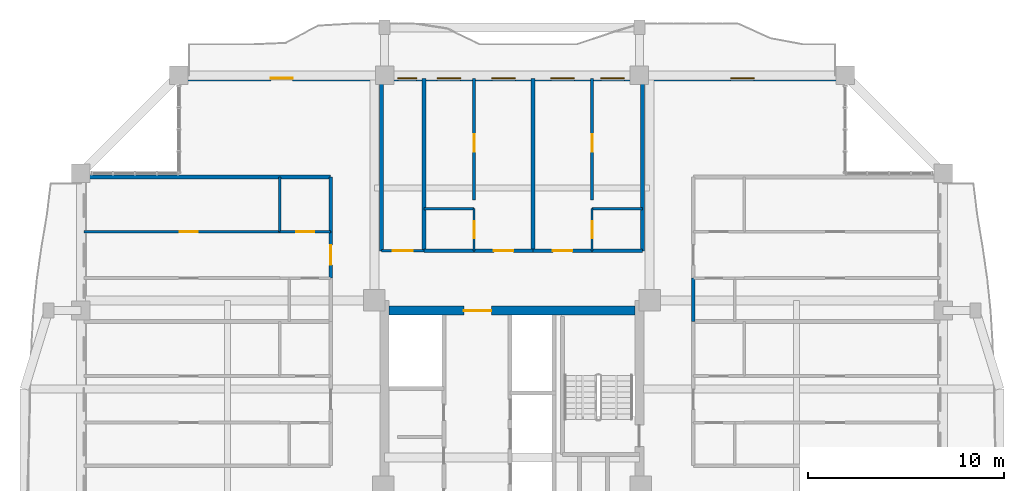
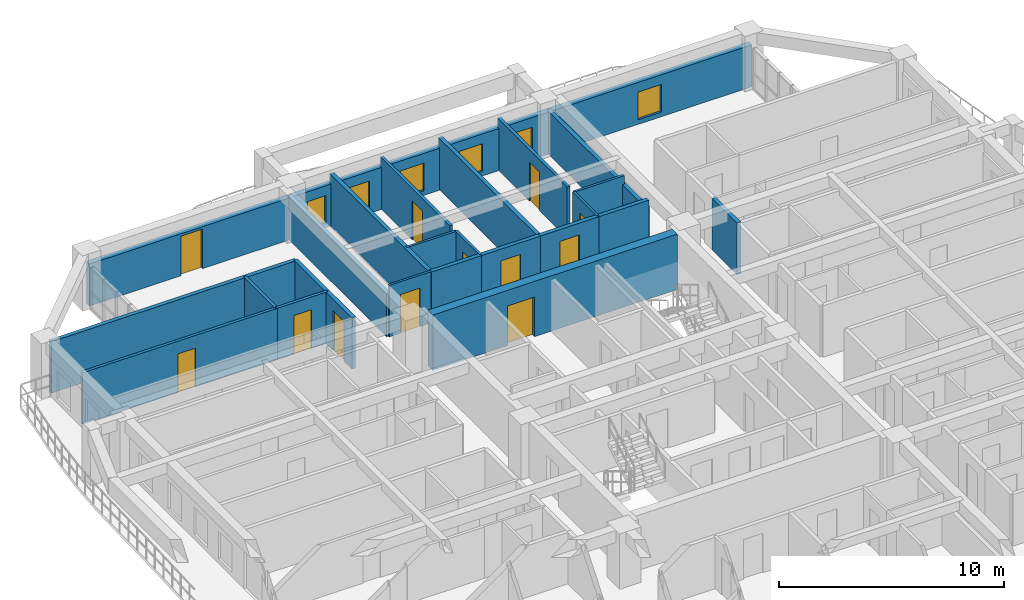
# One storey, part 16 of 23: 24 walls, 12 doors, 6 windows, 18 openings.
"""IFC4 building model written with IfcOpenShell, lengths in metres."""

from ifc_helpers import new_model, si_unit, direction, frame, frame_2d, origin, place, context, subcontext, project, spatial, rectangle, extrude, source, transform, mapped, material, layer, layer_set, type_object, element, fill, save


model = new_model("IFC4")

# Units and contexts
model_context = context("Model", 3, precision=1e-05, world=origin(), true_north=direction((0.0, 1.0)))
body_context = subcontext(model_context, "Body", "Model", "MODEL_VIEW")
ifc_project = project(units=[si_unit("LENGTHUNIT", "METRE"), si_unit("AREAUNIT", "SQUARE_METRE"), si_unit("VOLUMEUNIT", "CUBIC_METRE"), si_unit("PLANEANGLEUNIT", "RADIAN"), si_unit("MASSUNIT", "GRAM", prefix="KILO")], contexts=[model_context])

# Site, building, storey
site_placement = place(None, origin())
site = spatial("IfcSite", under=ifc_project, at=site_placement, CompositionType="ELEMENT")
building_placement = place(site_placement, origin())
building = spatial("IfcBuilding", under=site, at=building_placement, Name="Saelheon Loggia Tower", CompositionType="ELEMENT")
storey_placement = place(building_placement, frame((0.0, 0.0, 156.10009765625)))
storey = spatial("IfcBuildingStorey", under=building, at=storey_placement, Name="L49", CompositionType="ELEMENT", Elevation=156.10009765625)

# Wall, opening, door
ifc_material_1 = material(Name="Concrete C45/55", Category="concrete")
ifc_layer_1 = layer(ifc_material_1, 0.449951171875)
ifc_layer_set_1 = layer_set([ifc_layer_1], Name="Concrete C45/55")
wall_type_1 = type_object("IfcWallType", Name="Wall_CoreShear_450", PredefinedType="SHEAR", material=ifc_layer_set_1)
wall_1_placement = place(storey_placement, frame((31.72509765625, 36.0, 0.0), z_axis=(0.0, 0.0, 1.0), x_axis=(1.0, 0.0, 0.0)))
wall_1 = element("IfcWall", 1, at=wall_1_placement, inside=storey, type_object=wall_type_1, Name="L49 Core Shear Wall North", PredefinedType="SHEAR", context=body_context, shape_type="SweptSolid", body=[
    extrude(rectangle(XDim=12.5498046875, YDim=0.449951171875, at=frame_2d((6.27490234375, 0.0))), origin(), (0.0, 0.0, 1.0), 3.0),
])
opening_1_placement = place(wall_1_placement, frame((5.224853515625, 0.0, 0.0), z_axis=(0.0, 0.0, 1.0), x_axis=(-1.0, 0.0, 0.0)))
opening_1 = element("IfcOpeningElement", 2, at=opening_1_placement, cuts=wall_1, Name="Opening D-FD2L", PredefinedType="OPENING", context=body_context, shape_type="SweptSolid", body=[
    extrude(rectangle(XDim=1.39990234375, YDim=2.14990234375, at=frame_2d((0.699951171875, 1.074951171875))), frame((0.0, 0.237060546875, 0.0), z_axis=(0.0, -1.0, 0.0), x_axis=(1.0, 0.0, 0.0)), (0.0, 0.0, 1.0), 0.473876953125),
])
ifc_material_2 = material(Name="Galvanised Steel Glazed Lobby Fire Door", Category="steel")
door_type_1 = type_object("IfcDoorType", Name="Door_Fire_FD60_1400", OperationType="NOTDEFINED", PredefinedType="DOOR", material=ifc_material_2)
shared_shape_1 = source(origin(), body_context, "Body", "SweptSolid", [
    extrude(rectangle(XDim=1.39990234375, YDim=2.14990234375, at=frame_2d((0.699951171875, 1.074951171875))), frame((0.0, 0.02490234375, 0.0), z_axis=(0.0, -1.0, 0.0), x_axis=(1.0, 0.0, 0.0)), (0.0, 0.0, 1.0), 0.050048828125),
])
door_1_placement = place(opening_1_placement, origin())
door_1 = element("IfcDoor", 3, at=door_1_placement, inside=storey, type_object=door_type_1, Name="L49 Passenger Lift Lobby Main Door", OperationType="SINGLE_SWING_RIGHT", OverallHeight=2.14990234375, OverallWidth=1.39990234375, PredefinedType="DOOR", context=body_context, shape_type="MappedRepresentation", body=[
    mapped(shared_shape_1, transform((0.0, 0.0, 0.0), scale=1.0)),
])
fill(opening_1, door_1)

# Wall, openings, windows, door
ifc_material_3 = material(Name="Architectural Precast Concrete C40/50", Category="concrete")
ifc_layer_2 = layer(ifc_material_3, 0.280029296875)
ifc_layer_set_2 = layer_set([ifc_layer_2], Name="Architectural Precast Concrete C40/50")
wall_type_2 = type_object("IfcWallType", Name="Wall_Ext_Loggia_280", PredefinedType="SOLIDWALL", material=ifc_layer_set_2)
wall_2_placement = place(storey_placement, frame((21.0, 47.860107421875, 0.0), z_axis=(0.0, 0.0, 1.0), x_axis=(1.0, 0.0, 0.0)))
wall_2 = element("IfcWall", 4, at=wall_2_placement, inside=storey, type_object=wall_type_2, Name="L49 North Loggia Inner Wall", PredefinedType="SOLIDWALL", context=body_context, shape_type="SweptSolid", body=[
    extrude(rectangle(XDim=34.0, YDim=0.280029296875, at=frame_2d((17.0, 0.0))), origin(), (0.0, 0.0, 1.0), 2.27978515625),
])
opening_2_placement = place(wall_2_placement, frame((4.699951171875, 0.0, 0.0)))
opening_2 = element("IfcOpeningElement", 5, at=opening_2_placement, cuts=wall_2, Name="Opening TD1", PredefinedType="OPENING", context=body_context, shape_type="SweptSolid", body=[
    extrude(rectangle(XDim=1.10009765625, YDim=2.14990234375, at=frame_2d((0.550048828125, 1.074951171875))), frame((0.0, 0.152099609375, 0.0), z_axis=(0.0, -1.0, 0.0), x_axis=(1.0, 0.0, 0.0)), (0.0, 0.0, 1.0), 0.303955078125),
])
opening_3_placement = place(wall_2_placement, frame((11.1826171875, 0.0, 0.25)))
opening_3 = element("IfcOpeningElement", 6, at=opening_3_placement, cuts=wall_2, Name="Opening WN-04", PredefinedType="OPENING", context=body_context, shape_type="SweptSolid", body=[
    extrude(rectangle(XDim=0.949951171875, YDim=1.5, at=frame_2d((0.47509765625, 0.75))), frame((0.0, 0.152099609375, 0.0), z_axis=(0.0, -1.0, 0.0), x_axis=(1.0, 0.0, 0.0)), (0.0, 0.0, 1.0), 0.303955078125),
])
opening_4_placement = place(wall_2_placement, frame((13.182373046875, 0.0, 0.25)))
opening_4 = element("IfcOpeningElement", 7, at=opening_4_placement, cuts=wall_2, Name="Opening WN-03", PredefinedType="OPENING", context=body_context, shape_type="SweptSolid", body=[
    extrude(rectangle(XDim=1.199951171875, YDim=1.5, at=frame_2d((0.60009765625, 0.75))), frame((0.0, 0.152099609375, 0.0), z_axis=(0.0, -1.0, 0.0), x_axis=(1.0, 0.0, 0.0)), (0.0, 0.0, 1.0), 0.303955078125),
])
opening_5_placement = place(wall_2_placement, frame((15.9697265625, 0.0, 0.25)))
opening_5 = element("IfcOpeningElement", 8, at=opening_5_placement, cuts=wall_2, Name="Opening WN-03", PredefinedType="OPENING", context=body_context, shape_type="SweptSolid", body=[
    extrude(rectangle(XDim=1.199951171875, YDim=1.5, at=frame_2d((0.60009765625, 0.75))), frame((0.0, 0.152099609375, 0.0), z_axis=(0.0, -1.0, 0.0), x_axis=(1.0, 0.0, 0.0)), (0.0, 0.0, 1.0), 0.303955078125),
])
opening_6_placement = place(wall_2_placement, frame((18.980224609375, 0.0, 0.25)))
opening_6 = element("IfcOpeningElement", 9, at=opening_6_placement, cuts=wall_2, Name="Opening WN-03", PredefinedType="OPENING", context=body_context, shape_type="SweptSolid", body=[
    extrude(rectangle(XDim=1.199951171875, YDim=1.5, at=frame_2d((0.60009765625, 0.75))), frame((0.0, 0.152099609375, 0.0), z_axis=(0.0, -1.0, 0.0), x_axis=(1.0, 0.0, 0.0)), (0.0, 0.0, 1.0), 0.303955078125),
])
opening_7_placement = place(wall_2_placement, frame((21.535400390625, 0.0, 0.25)))
opening_7 = element("IfcOpeningElement", 10, at=opening_7_placement, cuts=wall_2, Name="Opening WN-03", PredefinedType="OPENING", context=body_context, shape_type="SweptSolid", body=[
    extrude(rectangle(XDim=1.199951171875, YDim=1.5, at=frame_2d((0.60009765625, 0.75))), frame((0.0, 0.152099609375, 0.0), z_axis=(0.0, -1.0, 0.0), x_axis=(1.0, 0.0, 0.0)), (0.0, 0.0, 1.0), 0.303955078125),
])
opening_8_placement = place(wall_2_placement, frame((28.14990234375, 0.0, 0.25)))
opening_8 = element("IfcOpeningElement", 11, at=opening_8_placement, cuts=wall_2, Name="Opening WN-03", PredefinedType="OPENING", context=body_context, shape_type="SweptSolid", body=[
    extrude(rectangle(XDim=1.199951171875, YDim=1.5, at=frame_2d((0.60009765625, 0.75))), frame((0.0, 0.152099609375, 0.0), z_axis=(0.0, -1.0, 0.0), x_axis=(1.0, 0.0, 0.0)), (0.0, 0.0, 1.0), 0.303955078125),
])
ifc_material_4 = material(Name="Thermal-Break Aluminium and Triple Low-E Glass", Category="aluminium")
window_type_1 = type_object("IfcWindowType", Name="Win_Bedroom_1200x1500", PartitioningType="SINGLE_PANEL", PredefinedType="WINDOW", material=ifc_material_4)
shared_shape_2 = source(origin(), body_context, "Body", "SweptSolid", [
    extrude(rectangle(XDim=1.199951171875, YDim=1.5, at=frame_2d((0.60009765625, 0.75))), frame((0.0, 0.030029296875, 0.0), z_axis=(0.0, -1.0, 0.0), x_axis=(1.0, 0.0, 0.0)), (0.0, 0.0, 1.0), 0.06005859375),
])
window_1_placement = place(opening_4_placement, origin())
window_1 = element("IfcWindow", 12, at=window_1_placement, inside=storey, type_object=window_type_1, Name="L49 N Dwelling Window 3", OverallHeight=1.5, OverallWidth=1.199951171875, PartitioningType="SINGLE_PANEL", PredefinedType="WINDOW", context=body_context, shape_type="MappedRepresentation", body=[
    mapped(shared_shape_2, transform((0.0, 0.0, 0.0), scale=1.0)),
])
fill(opening_4, window_1)
window_2_placement = place(opening_5_placement, origin())
window_2 = element("IfcWindow", 13, at=window_2_placement, inside=storey, type_object=window_type_1, Name="L49 N Dwelling Window 4", OverallHeight=1.5, OverallWidth=1.199951171875, PartitioningType="SINGLE_PANEL", PredefinedType="WINDOW", context=body_context, shape_type="MappedRepresentation", body=[
    mapped(shared_shape_2, transform((0.0, 0.0, 0.0), scale=1.0)),
])
fill(opening_5, window_2)
window_3_placement = place(opening_6_placement, origin())
window_3 = element("IfcWindow", 14, at=window_3_placement, inside=storey, type_object=window_type_1, Name="L49 N Dwelling Window 5", OverallHeight=1.5, OverallWidth=1.199951171875, PartitioningType="SINGLE_PANEL", PredefinedType="WINDOW", context=body_context, shape_type="MappedRepresentation", body=[
    mapped(shared_shape_2, transform((0.0, 0.0, 0.0), scale=1.0)),
])
fill(opening_6, window_3)
window_4_placement = place(opening_7_placement, origin())
window_4 = element("IfcWindow", 15, at=window_4_placement, inside=storey, type_object=window_type_1, Name="L49 N Dwelling Window 6", OverallHeight=1.5, OverallWidth=1.199951171875, PartitioningType="SINGLE_PANEL", PredefinedType="WINDOW", context=body_context, shape_type="MappedRepresentation", body=[
    mapped(shared_shape_2, transform((0.0, 0.0, 0.0), scale=1.0)),
])
fill(opening_7, window_4)
window_5_placement = place(opening_8_placement, origin())
window_5 = element("IfcWindow", 16, at=window_5_placement, inside=storey, type_object=window_type_1, Name="L49 N Dwelling Window 7", OverallHeight=1.5, OverallWidth=1.199951171875, PartitioningType="SINGLE_PANEL", PredefinedType="WINDOW", context=body_context, shape_type="MappedRepresentation", body=[
    mapped(shared_shape_2, transform((0.0, 0.0, 0.0), scale=1.0)),
])
fill(opening_8, window_5)
ifc_material_5 = material(Name="Thermal-Break Aluminium Glazed Door", Category="aluminium")
door_type_2 = type_object("IfcDoorType", Name="Door_Terrace_TD1", OperationType="NOTDEFINED", PredefinedType="DOOR", material=ifc_material_5)
shared_shape_3 = source(origin(), body_context, "Body", "SweptSolid", [
    extrude(rectangle(XDim=1.10009765625, YDim=2.14990234375, at=frame_2d((0.550048828125, 1.074951171875))), frame((0.0, 0.02490234375, 0.0), z_axis=(0.0, -1.0, 0.0), x_axis=(1.0, 0.0, 0.0)), (0.0, 0.0, 1.0), 0.050048828125),
])
door_2_placement = place(opening_2_placement, origin())
door_2 = element("IfcDoor", 17, at=door_2_placement, inside=storey, type_object=door_type_2, Name="L49 N Loggia Access Door", OperationType="SINGLE_SWING_LEFT", OverallHeight=2.14990234375, OverallWidth=1.10009765625, PredefinedType="DOOR", context=body_context, shape_type="MappedRepresentation", body=[
    mapped(shared_shape_3, transform((0.0, 0.0, 0.0), scale=1.0)),
])
fill(opening_2, door_2)
window_type_2 = type_object("IfcWindowType", Name="Win_Narrow_950x1500", PartitioningType="SINGLE_PANEL", PredefinedType="WINDOW", material=ifc_material_4)
shared_shape_4 = source(origin(), body_context, "Body", "SweptSolid", [
    extrude(rectangle(XDim=0.949951171875, YDim=1.5, at=frame_2d((0.47509765625, 0.75))), frame((0.0, 0.030029296875, 0.0), z_axis=(0.0, -1.0, 0.0), x_axis=(1.0, 0.0, 0.0)), (0.0, 0.0, 1.0), 0.06005859375),
])
window_6_placement = place(opening_3_placement, origin())
window_6 = element("IfcWindow", 18, at=window_6_placement, inside=storey, type_object=window_type_2, Name="L49 N Dwelling Window 2", OverallHeight=1.5, OverallWidth=0.949951171875, PartitioningType="SINGLE_PANEL", PredefinedType="WINDOW", context=body_context, shape_type="MappedRepresentation", body=[
    mapped(shared_shape_4, transform((0.0, 0.0, 0.0), scale=1.0)),
])
fill(opening_3, window_6)

# Wall, opening, door
ifc_material_6 = material(Name="Lightweight Autoclaved Aerated Concrete Block and Acoustic Gypsum", Category="concrete")
ifc_layer_3 = layer(ifc_material_6, 0.14990234375)
ifc_layer_set_3 = layer_set([ifc_layer_3], Name="Lightweight Autoclaved Aerated Concrete Block and Acoustic Gypsum")
wall_type_3 = type_object("IfcWallType", Name="Wall_Part_150", PredefinedType="PARTITIONING", material=ifc_layer_set_3)
wall_3_placement = place(storey_placement, frame((36.064453125, 41.64990234375, 0.0), z_axis=(0.0, 0.0, 1.0), x_axis=(0.0, 1.0, 0.0)))
wall_3 = element("IfcWall", 19, at=wall_3_placement, inside=storey, type_object=wall_type_3, Name="L49 N Partition U09", PredefinedType="PARTITIONING", context=body_context, shape_type="SweptSolid", body=[
    extrude(rectangle(XDim=6.2001953125, YDim=0.14990234375, at=frame_2d((3.10009765625, 0.0))), origin(), (0.0, 0.0, 1.0), 2.789794921875),
])
opening_9_placement = place(wall_3_placement, frame((2.44921875, 0.0, 0.0)))
opening_9 = element("IfcOpeningElement", 20, at=opening_9_placement, cuts=wall_3, Name="Opening D-IN2", PredefinedType="OPENING", context=body_context, shape_type="SweptSolid", body=[
    extrude(rectangle(XDim=0.89990234375, YDim=2.10009765625, at=frame_2d((0.449951171875, 1.050048828125))), frame((0.0, 0.0869140625, 0.0), z_axis=(0.0, -1.0, 0.0), x_axis=(1.0, 0.0, 0.0)), (0.0, 0.0, 1.0), 0.173828125),
])
ifc_material_7 = material(Name="Engineered Oak Flush Door", Category="timber")
door_type_3 = type_object("IfcDoorType", Name="Door_Int_900", OperationType="NOTDEFINED", PredefinedType="DOOR", material=ifc_material_7)
shared_shape_5 = source(origin(), body_context, "Body", "SweptSolid", [
    extrude(rectangle(XDim=0.89990234375, YDim=2.10009765625, at=frame_2d((0.449951171875, 1.050048828125))), frame((0.0, 0.02490234375, 0.0), z_axis=(0.0, -1.0, 0.0), x_axis=(1.0, 0.0, 0.0)), (0.0, 0.0, 1.0), 0.050048828125),
])
door_3_placement = place(opening_9_placement, origin())
door_3 = element("IfcDoor", 21, at=door_3_placement, inside=storey, type_object=door_type_3, Name="Unit U03 Kitchen Door", OperationType="SINGLE_SWING_LEFT", OverallHeight=2.10009765625, OverallWidth=0.89990234375, PredefinedType="DOOR", context=body_context, shape_type="MappedRepresentation", body=[
    mapped(shared_shape_5, transform((0.0, 0.0, 0.0), scale=1.0)),
])
fill(opening_9, door_3)

wall_4_placement = place(storey_placement, frame((42.08544921875, 41.64990234375, 0.0), z_axis=(0.0, 0.0, 1.0), x_axis=(0.0, 1.0, 0.0)))
wall_4 = element("IfcWall", 22, at=wall_4_placement, inside=storey, type_object=wall_type_3, Name="L49 N Partition U15", PredefinedType="PARTITIONING", context=body_context, shape_type="SweptSolid", body=[
    extrude(rectangle(XDim=6.2001953125, YDim=0.14990234375, at=frame_2d((3.10009765625, 0.0))), origin(), (0.0, 0.0, 1.0), 2.789794921875),
])
opening_10_placement = place(wall_4_placement, frame((2.44921875, 0.0, 0.0)))
opening_10 = element("IfcOpeningElement", 23, at=opening_10_placement, cuts=wall_4, Name="Opening D-IN2", PredefinedType="OPENING", context=body_context, shape_type="SweptSolid", body=[
    extrude(rectangle(XDim=0.89990234375, YDim=2.10009765625, at=frame_2d((0.449951171875, 1.050048828125))), frame((0.0, 0.0869140625, 0.0), z_axis=(0.0, -1.0, 0.0), x_axis=(1.0, 0.0, 0.0)), (0.0, 0.0, 1.0), 0.173828125),
])
door_4_placement = place(opening_10_placement, origin())
door_4 = element("IfcDoor", 24, at=door_4_placement, inside=storey, type_object=door_type_3, Name="Unit U04 Kitchen Door", OperationType="SINGLE_SWING_RIGHT", OverallHeight=2.10009765625, OverallWidth=0.89990234375, PredefinedType="DOOR", context=body_context, shape_type="MappedRepresentation", body=[
    mapped(shared_shape_5, transform((0.0, 0.0, 0.0), scale=1.0)),
])
fill(opening_10, door_4)

# Wall
wall_5_placement = place(storey_placement, frame((26.14990234375, 40.019287109375, 0.0), z_axis=(0.0, 0.0, 1.0), x_axis=(0.0, 1.0, 0.0)))
element("IfcWall", 25, at=wall_5_placement, inside=storey, type_object=wall_type_3, Name="L49 WN Partition V18", PredefinedType="PARTITIONING", context=body_context, shape_type="SweptSolid", body=[
    extrude(rectangle(XDim=2.80078125, YDim=0.14990234375, at=frame_2d((1.400390625, 0.0))), origin(), (0.0, 0.0, 1.0), 2.789794921875),
])

# Wall, opening, door
wall_6_placement = place(storey_placement, frame((28.75, 40.019287109375, 0.0), z_axis=(0.0, 0.0, 1.0), x_axis=(-1.0, 0.0, 0.0)))
wall_6 = element("IfcWall", 26, at=wall_6_placement, inside=storey, type_object=wall_type_3, Name="L49 WN Partition U22", PredefinedType="PARTITIONING", context=body_context, shape_type="SweptSolid", body=[
    extrude(rectangle(XDim=2.60009765625, YDim=0.14990234375, at=frame_2d((1.300048828125, 0.0))), origin(), (0.0, 0.0, 1.0), 2.789794921875),
])
opening_11_placement = place(wall_6_placement, frame((0.85009765625, 0.0, 0.0)))
opening_11 = element("IfcOpeningElement", 27, at=opening_11_placement, cuts=wall_6, Name="Opening D-IN2", PredefinedType="OPENING", context=body_context, shape_type="SweptSolid", body=[
    extrude(rectangle(XDim=0.89990234375, YDim=2.10009765625, at=frame_2d((0.449951171875, 1.050048828125))), frame((0.0, 0.0869140625, 0.0), z_axis=(0.0, -1.0, 0.0), x_axis=(1.0, 0.0, 0.0)), (0.0, 0.0, 1.0), 0.173828125),
])
door_5_placement = place(opening_11_placement, origin())
door_5 = element("IfcDoor", 28, at=door_5_placement, inside=storey, type_object=door_type_3, Name="Unit U08 Dressing Closet Door", OperationType="SINGLE_SWING_LEFT", OverallHeight=2.10009765625, OverallWidth=0.89990234375, PredefinedType="DOOR", context=body_context, shape_type="MappedRepresentation", body=[
    mapped(shared_shape_5, transform((0.0, 0.0, 0.0), scale=1.0)),
])
fill(opening_11, door_5)

wall_7_placement = place(storey_placement, frame((26.14990234375, 40.019287109375, 0.0), z_axis=(0.0, 0.0, 1.0), x_axis=(-1.0, 0.0, 0.0)))
wall_7 = element("IfcWall", 29, at=wall_7_placement, inside=storey, type_object=wall_type_3, Name="L49 WN Partition U23", PredefinedType="PARTITIONING", context=body_context, shape_type="SweptSolid", body=[
    extrude(rectangle(XDim=10.0, YDim=0.14990234375, at=frame_2d((5.0, 0.0))), origin(), (0.0, 0.0, 1.0), 2.789794921875),
])
opening_12_placement = place(wall_7_placement, frame((4.19091796875, 0.0, 0.0)))
opening_12 = element("IfcOpeningElement", 30, at=opening_12_placement, cuts=wall_7, Name="Opening D-IN2", PredefinedType="OPENING", context=body_context, shape_type="SweptSolid", body=[
    extrude(rectangle(XDim=0.89990234375, YDim=2.10009765625, at=frame_2d((0.449951171875, 1.050048828125))), frame((0.0, 0.0869140625, 0.0), z_axis=(0.0, -1.0, 0.0), x_axis=(1.0, 0.0, 0.0)), (0.0, 0.0, 1.0), 0.173828125),
])
door_6_placement = place(opening_12_placement, origin())
door_6 = element("IfcDoor", 31, at=door_6_placement, inside=storey, type_object=door_type_3, Name="Unit U08 Bedroom 1 Door", OperationType="SINGLE_SWING_RIGHT", OverallHeight=2.10009765625, OverallWidth=0.89990234375, PredefinedType="DOOR", context=body_context, shape_type="MappedRepresentation", body=[
    mapped(shared_shape_5, transform((0.0, 0.0, 0.0), scale=1.0)),
])
fill(opening_12, door_6)

# Walls
ifc_material_8 = material(Name="Double Acoustic Stud and Fireboard Partition", Category="gypsum")
ifc_layer_4 = layer(ifc_material_8, 0.199951171875)
ifc_layer_set_4 = layer_set([ifc_layer_4], Name="Double Acoustic Stud and Fireboard Partition")
wall_type_4 = type_object("IfcWallType", Name="Wall_Party_200", PredefinedType="PARTITIONING", material=ifc_layer_set_4)
for number, where, z_axis, x_axis, name in (
    (32, (31.35009765625, 39.050048828125, 0.0), (0.0, 0.0, 1.0), (0.0, 1.0, 0.0), "L49 N Partition U01"),
    (33, (44.64990234375, 39.050048828125, 0.0), (0.0, 0.0, 1.0), (0.0, 1.0, 0.0), "L49 N Partition U02"),
):
    element("IfcWall", number, at=place(storey_placement, frame(where, z_axis=z_axis, x_axis=x_axis)), inside=storey, type_object=wall_type_4, Name=name, PredefinedType="PARTITIONING", context=body_context, shape_type="SweptSolid", body=[
        extrude(rectangle(XDim=8.800048828125, YDim=0.199951171875, at=frame_2d((4.39990234375, 0.0))), origin(), (0.0, 0.0, 1.0), 2.33984375),
    ])
wall_8_placement = place(storey_placement, frame((33.5, 39.050048828125, 0.0), z_axis=(0.0, 0.0, 1.0), x_axis=(0.0, 1.0, 0.0)))
element("IfcWall", 34, at=wall_8_placement, inside=storey, type_object=wall_type_4, Name="L49 N Partition U03", PredefinedType="PARTITIONING", context=body_context, shape_type="SweptSolid", body=[
    extrude(rectangle(XDim=8.800048828125, YDim=0.199951171875, at=frame_2d((4.39990234375, 0.0))), origin(), (0.0, 0.0, 1.0), 2.789794921875),
])
wall_9_placement = place(storey_placement, frame((33.5, 39.050048828125, 0.0), z_axis=(0.0, 0.0, 1.0), x_axis=(1.0, 0.0, 0.0)))
element("IfcWall", 35, at=wall_9_placement, inside=storey, type_object=wall_type_4, Name="L49 N Partition V05", PredefinedType="PARTITIONING", context=body_context, shape_type="SweptSolid", body=[
    extrude(rectangle(XDim=2.564453125, YDim=0.199951171875, at=frame_2d((1.2822265625, 0.0))), origin(), (0.0, 0.0, 1.0), 2.789794921875),
])

# Wall, opening, door
wall_10_placement = place(storey_placement, frame((36.064453125, 39.050048828125, 0.0), z_axis=(0.0, 0.0, 1.0), x_axis=(1.0, 0.0, 0.0)))
wall_10 = element("IfcWall", 36, at=wall_10_placement, inside=storey, type_object=wall_type_4, Name="L49 N Partition V06", PredefinedType="PARTITIONING", context=body_context, shape_type="SweptSolid", body=[
    extrude(rectangle(XDim=3.010498046875, YDim=0.199951171875, at=frame_2d((1.50537109375, 0.0))), origin(), (0.0, 0.0, 1.0), 2.789794921875),
])
opening_13_placement = place(wall_10_placement, frame((1.00537109375, 0.0, 0.0)))
opening_13 = element("IfcOpeningElement", 37, at=opening_13_placement, cuts=wall_10, Name="Opening D-FD1", PredefinedType="OPENING", context=body_context, shape_type="SweptSolid", body=[
    extrude(rectangle(XDim=1.0, YDim=2.14990234375, at=frame_2d((0.5, 1.074951171875))), frame((0.0, 0.112060546875, 0.0), z_axis=(0.0, -1.0, 0.0), x_axis=(1.0, 0.0, 0.0)), (0.0, 0.0, 1.0), 0.223876953125),
])
ifc_material_9 = material(Name="Fire-Rated Engineered Timber Entrance Door", Category="wood")
door_type_4 = type_object("IfcDoorType", Name="Door_Flat_FD30S", OperationType="NOTDEFINED", PredefinedType="DOOR", material=ifc_material_9)
shared_shape_6 = source(origin(), body_context, "Body", "SweptSolid", [
    extrude(rectangle(XDim=1.0, YDim=2.14990234375, at=frame_2d((0.5, 1.074951171875))), frame((0.0, 0.02490234375, 0.0), z_axis=(0.0, -1.0, 0.0), x_axis=(1.0, 0.0, 0.0)), (0.0, 0.0, 1.0), 0.050048828125),
])
door_7_placement = place(opening_13_placement, origin())
door_7 = element("IfcDoor", 38, at=door_7_placement, inside=storey, type_object=door_type_4, Name="Unit U03 Entrance Door", OperationType="SINGLE_SWING_LEFT", OverallHeight=2.14990234375, OverallWidth=1.0, PredefinedType="DOOR", context=body_context, shape_type="MappedRepresentation", body=[
    mapped(shared_shape_6, transform((0.0, 0.0, 0.0), scale=1.0)),
])
fill(opening_13, door_7)

# Wall
wall_11_placement = place(storey_placement, frame((39.074951171875, 39.050048828125, 0.0), z_axis=(0.0, 0.0, 1.0), x_axis=(0.0, 1.0, 0.0)))
element("IfcWall", 39, at=wall_11_placement, inside=storey, type_object=wall_type_4, Name="L49 N Partition U10", PredefinedType="PARTITIONING", context=body_context, shape_type="SweptSolid", body=[
    extrude(rectangle(XDim=8.800048828125, YDim=0.199951171875, at=frame_2d((4.39990234375, 0.0))), origin(), (0.0, 0.0, 1.0), 2.789794921875),
])

# Wall, opening, door
wall_12_placement = place(storey_placement, frame((39.074951171875, 39.050048828125, 0.0), z_axis=(0.0, 0.0, 1.0), x_axis=(1.0, 0.0, 0.0)))
wall_12 = element("IfcWall", 40, at=wall_12_placement, inside=storey, type_object=wall_type_4, Name="L49 N Partition V11", PredefinedType="PARTITIONING", context=body_context, shape_type="SweptSolid", body=[
    extrude(rectangle(XDim=3.010498046875, YDim=0.199951171875, at=frame_2d((1.50537109375, 0.0))), origin(), (0.0, 0.0, 1.0), 2.789794921875),
])
opening_14_placement = place(wall_12_placement, frame((1.00537109375, 0.0, 0.0)))
opening_14 = element("IfcOpeningElement", 41, at=opening_14_placement, cuts=wall_12, Name="Opening D-FD1", PredefinedType="OPENING", context=body_context, shape_type="SweptSolid", body=[
    extrude(rectangle(XDim=1.0, YDim=2.14990234375, at=frame_2d((0.5, 1.074951171875))), frame((0.0, 0.112060546875, 0.0), z_axis=(0.0, -1.0, 0.0), x_axis=(1.0, 0.0, 0.0)), (0.0, 0.0, 1.0), 0.223876953125),
])
door_8_placement = place(opening_14_placement, origin())
door_8 = element("IfcDoor", 42, at=door_8_placement, inside=storey, type_object=door_type_4, Name="Unit U04 Entrance Door", OperationType="SINGLE_SWING_RIGHT", OverallHeight=2.14990234375, OverallWidth=1.0, PredefinedType="DOOR", context=body_context, shape_type="MappedRepresentation", body=[
    mapped(shared_shape_6, transform((0.0, 0.0, 0.0), scale=1.0)),
])
fill(opening_14, door_8)

# Walls
wall_13_placement = place(storey_placement, frame((42.08544921875, 39.050048828125, 0.0), z_axis=(0.0, 0.0, 1.0), x_axis=(1.0, 0.0, 0.0)))
element("IfcWall", 43, at=wall_13_placement, inside=storey, type_object=wall_type_4, Name="L49 N Partition V12", PredefinedType="PARTITIONING", context=body_context, shape_type="SweptSolid", body=[
    extrude(rectangle(XDim=2.564453125, YDim=0.199951171875, at=frame_2d((1.2822265625, 0.0))), origin(), (0.0, 0.0, 1.0), 2.789794921875),
])
wall_14_placement = place(storey_placement, frame((28.75, 42.820068359375, 0.0), z_axis=(0.0, 0.0, 1.0), x_axis=(-1.0, 0.0, 0.0)))
element("IfcWall", 44, at=wall_14_placement, inside=storey, type_object=wall_type_4, Name="L49 WN Partition U02", PredefinedType="PARTITIONING", context=body_context, shape_type="SweptSolid", body=[
    extrude(rectangle(XDim=12.60009765625, YDim=0.199951171875, at=frame_2d((6.300048828125, 0.0))), origin(), (0.0, 0.0, 1.0), 2.789794921875),
])

# Wall, opening, door
wall_15_placement = place(storey_placement, frame((28.75, 37.64990234375, 0.0), z_axis=(0.0, 0.0, 1.0), x_axis=(0.0, 1.0, 0.0)))
wall_15 = element("IfcWall", 45, at=wall_15_placement, inside=storey, type_object=wall_type_4, Name="L49 WN Partition V15", PredefinedType="PARTITIONING", context=body_context, shape_type="SweptSolid", body=[
    extrude(rectangle(XDim=2.369384765625, YDim=0.199951171875, at=frame_2d((1.1845703125, 0.0))), origin(), (0.0, 0.0, 1.0), 2.789794921875),
])
opening_15_placement = place(wall_15_placement, frame((0.684814453125, 0.0, 0.0)))
opening_15 = element("IfcOpeningElement", 46, at=opening_15_placement, cuts=wall_15, Name="Opening D-FD1", PredefinedType="OPENING", context=body_context, shape_type="SweptSolid", body=[
    extrude(rectangle(XDim=1.0, YDim=2.14990234375, at=frame_2d((0.5, 1.074951171875))), frame((0.0, 0.112060546875, 0.0), z_axis=(0.0, -1.0, 0.0), x_axis=(1.0, 0.0, 0.0)), (0.0, 0.0, 1.0), 0.223876953125),
])
door_9_placement = place(opening_15_placement, origin())
door_9 = element("IfcDoor", 47, at=door_9_placement, inside=storey, type_object=door_type_4, Name="Unit U08 Entrance Door", OperationType="SINGLE_SWING_RIGHT", OverallHeight=2.14990234375, OverallWidth=1.0, PredefinedType="DOOR", context=body_context, shape_type="MappedRepresentation", body=[
    mapped(shared_shape_6, transform((0.0, 0.0, 0.0), scale=1.0)),
])
fill(opening_15, door_9)

# Walls
wall_16_placement = place(storey_placement, frame((28.75, 40.019287109375, 0.0), z_axis=(0.0, 0.0, 1.0), x_axis=(0.0, 1.0, 0.0)))
element("IfcWall", 48, at=wall_16_placement, inside=storey, type_object=wall_type_4, Name="L49 WN Partition V16", PredefinedType="PARTITIONING", context=body_context, shape_type="SweptSolid", body=[
    extrude(rectangle(XDim=2.80078125, YDim=0.199951171875, at=frame_2d((1.400390625, 0.0))), origin(), (0.0, 0.0, 1.0), 2.789794921875),
])
wall_17_placement = place(storey_placement, frame((47.25, 35.449951171875, 0.0), z_axis=(0.0, 0.0, 1.0), x_axis=(0.0, 1.0, 0.0)))
element("IfcWall", 49, at=wall_17_placement, inside=storey, type_object=wall_type_4, Name="L49 EN Partition V14", PredefinedType="PARTITIONING", context=body_context, shape_type="SweptSolid", body=[
    extrude(rectangle(XDim=2.199951171875, YDim=0.199951171875, at=frame_2d((1.10009765625, 0.0))), origin(), (0.0, 0.0, 1.0), 2.789794921875),
])

# Wall, opening, door
ifc_material_10 = material(Name="Moisture-Resistant Cement Board Partition", Category="gypsum")
ifc_layer_5 = layer(ifc_material_10, 0.1201171875)
ifc_layer_set_5 = layer_set([ifc_layer_5], Name="Moisture-Resistant Cement Board Partition")
wall_type_5 = type_object("IfcWallType", Name="Wall_WetPart_120", PredefinedType="PARTITIONING", material=ifc_layer_set_5)
wall_18_placement = place(storey_placement, frame((31.35009765625, 39.050048828125, 0.0), z_axis=(0.0, 0.0, 1.0), x_axis=(1.0, 0.0, 0.0)))
wall_18 = element("IfcWall", 50, at=wall_18_placement, inside=storey, type_object=wall_type_5, Name="L49 N Partition V04", PredefinedType="PARTITIONING", context=body_context, shape_type="SweptSolid", body=[
    extrude(rectangle(XDim=2.14990234375, YDim=0.1201171875, at=frame_2d((1.074951171875, 0.0))), origin(), (0.0, 0.0, 1.0), 2.789794921875),
])
opening_16_placement = place(wall_18_placement, frame((0.574951171875, 0.0, 0.0)))
opening_16 = element("IfcOpeningElement", 51, at=opening_16_placement, cuts=wall_18, Name="Opening D-AC1", PredefinedType="OPENING", context=body_context, shape_type="SweptSolid", body=[
    extrude(rectangle(XDim=1.0, YDim=2.10009765625, at=frame_2d((0.5, 1.050048828125))), frame((0.0, 0.072021484375, 0.0), z_axis=(0.0, -1.0, 0.0), x_axis=(1.0, 0.0, 0.0)), (0.0, 0.0, 1.0), 0.14404296875),
])
ifc_material_11 = material(Name="Accessible Laminate Flush Door", Category="timber")
door_type_5 = type_object("IfcDoorType", Name="Door_Acc_1000", OperationType="NOTDEFINED", PredefinedType="DOOR", material=ifc_material_11)
shared_shape_7 = source(origin(), body_context, "Body", "SweptSolid", [
    extrude(rectangle(XDim=1.0, YDim=2.10009765625, at=frame_2d((0.5, 1.050048828125))), frame((0.0, 0.02490234375, 0.0), z_axis=(0.0, -1.0, 0.0), x_axis=(1.0, 0.0, 0.0)), (0.0, 0.0, 1.0), 0.050048828125),
])
door_10_placement = place(opening_16_placement, origin())
door_10 = element("IfcDoor", 52, at=door_10_placement, inside=storey, type_object=door_type_5, Name="L49 Floor Accessible WC Door", OperationType="SINGLE_SWING_RIGHT", OverallHeight=2.10009765625, OverallWidth=1.0, PredefinedType="DOOR", context=body_context, shape_type="MappedRepresentation", body=[
    mapped(shared_shape_7, transform((0.0, 0.0, 0.0), scale=1.0)),
])
fill(opening_16, door_10)

wall_19_placement = place(storey_placement, frame((36.064453125, 39.050048828125, 0.0), z_axis=(0.0, 0.0, 1.0), x_axis=(0.0, 1.0, 0.0)))
wall_19 = element("IfcWall", 53, at=wall_19_placement, inside=storey, type_object=wall_type_5, Name="L49 N Partition U07", PredefinedType="PARTITIONING", context=body_context, shape_type="SweptSolid", body=[
    extrude(rectangle(XDim=2.14990234375, YDim=0.1201171875, at=frame_2d((1.074951171875, 0.0))), origin(), (0.0, 0.0, 1.0), 2.789794921875),
])
opening_17_placement = place(wall_19_placement, frame((0.64990234375, 0.0, 0.0)))
opening_17 = element("IfcOpeningElement", 54, at=opening_17_placement, cuts=wall_19, Name="Opening D-BT1", PredefinedType="OPENING", context=body_context, shape_type="SweptSolid", body=[
    extrude(rectangle(XDim=0.85009765625, YDim=2.050048828125, at=frame_2d((0.425048828125, 1.02490234375))), frame((0.0, 0.072021484375, 0.0), z_axis=(0.0, -1.0, 0.0), x_axis=(1.0, 0.0, 0.0)), (0.0, 0.0, 1.0), 0.14404296875),
])
ifc_material_12 = material(Name="Moisture-Resistant Laminate Timber Door", Category="wood")
door_type_6 = type_object("IfcDoorType", Name="Door_Bath_850", OperationType="NOTDEFINED", PredefinedType="DOOR", material=ifc_material_12)
shared_shape_8 = source(origin(), body_context, "Body", "SweptSolid", [
    extrude(rectangle(XDim=0.85009765625, YDim=2.050048828125, at=frame_2d((0.425048828125, 1.02490234375))), frame((0.0, 0.02490234375, 0.0), z_axis=(0.0, -1.0, 0.0), x_axis=(1.0, 0.0, 0.0)), (0.0, 0.0, 1.0), 0.050048828125),
])
door_11_placement = place(opening_17_placement, origin())
door_11 = element("IfcDoor", 55, at=door_11_placement, inside=storey, type_object=door_type_6, Name="Unit U03 Bathroom Door", OperationType="SINGLE_SWING_RIGHT", OverallHeight=2.050048828125, OverallWidth=0.85009765625, PredefinedType="DOOR", context=body_context, shape_type="MappedRepresentation", body=[
    mapped(shared_shape_8, transform((0.0, 0.0, 0.0), scale=1.0)),
])
fill(opening_17, door_11)

# Wall
wall_20_placement = place(storey_placement, frame((33.5, 41.199951171875, 0.0), z_axis=(0.0, 0.0, 1.0), x_axis=(1.0, 0.0, 0.0)))
element("IfcWall", 56, at=wall_20_placement, inside=storey, type_object=wall_type_5, Name="L49 N Partition V08", PredefinedType="PARTITIONING", context=body_context, shape_type="SweptSolid", body=[
    extrude(rectangle(XDim=2.564453125, YDim=0.1201171875, at=frame_2d((1.2822265625, 0.0))), origin(), (0.0, 0.0, 1.0), 2.789794921875),
])

# Wall, opening, door
wall_21_placement = place(storey_placement, frame((42.08544921875, 39.050048828125, 0.0), z_axis=(0.0, 0.0, 1.0), x_axis=(0.0, 1.0, 0.0)))
wall_21 = element("IfcWall", 57, at=wall_21_placement, inside=storey, type_object=wall_type_5, Name="L49 N Partition U13", PredefinedType="PARTITIONING", context=body_context, shape_type="SweptSolid", body=[
    extrude(rectangle(XDim=2.14990234375, YDim=0.1201171875, at=frame_2d((1.074951171875, 0.0))), origin(), (0.0, 0.0, 1.0), 2.789794921875),
])
opening_18_placement = place(wall_21_placement, frame((0.64990234375, 0.0, 0.0)))
opening_18 = element("IfcOpeningElement", 58, at=opening_18_placement, cuts=wall_21, Name="Opening D-BT1", PredefinedType="OPENING", context=body_context, shape_type="SweptSolid", body=[
    extrude(rectangle(XDim=0.85009765625, YDim=2.050048828125, at=frame_2d((0.425048828125, 1.02490234375))), frame((0.0, 0.072021484375, 0.0), z_axis=(0.0, -1.0, 0.0), x_axis=(1.0, 0.0, 0.0)), (0.0, 0.0, 1.0), 0.14404296875),
])
door_12_placement = place(opening_18_placement, origin())
door_12 = element("IfcDoor", 59, at=door_12_placement, inside=storey, type_object=door_type_6, Name="Unit U04 Bathroom Door", OperationType="SINGLE_SWING_LEFT", OverallHeight=2.050048828125, OverallWidth=0.85009765625, PredefinedType="DOOR", context=body_context, shape_type="MappedRepresentation", body=[
    mapped(shared_shape_8, transform((0.0, 0.0, 0.0), scale=1.0)),
])
fill(opening_18, door_12)

# Wall
wall_22_placement = place(storey_placement, frame((42.08544921875, 41.199951171875, 0.0), z_axis=(0.0, 0.0, 1.0), x_axis=(1.0, 0.0, 0.0)))
element("IfcWall", 60, at=wall_22_placement, inside=storey, type_object=wall_type_5, Name="L49 N Partition V14", PredefinedType="PARTITIONING", context=body_context, shape_type="SweptSolid", body=[
    extrude(rectangle(XDim=2.564453125, YDim=0.1201171875, at=frame_2d((1.2822265625, 0.0))), origin(), (0.0, 0.0, 1.0), 2.789794921875),
])

save(model, "model.ifc")
